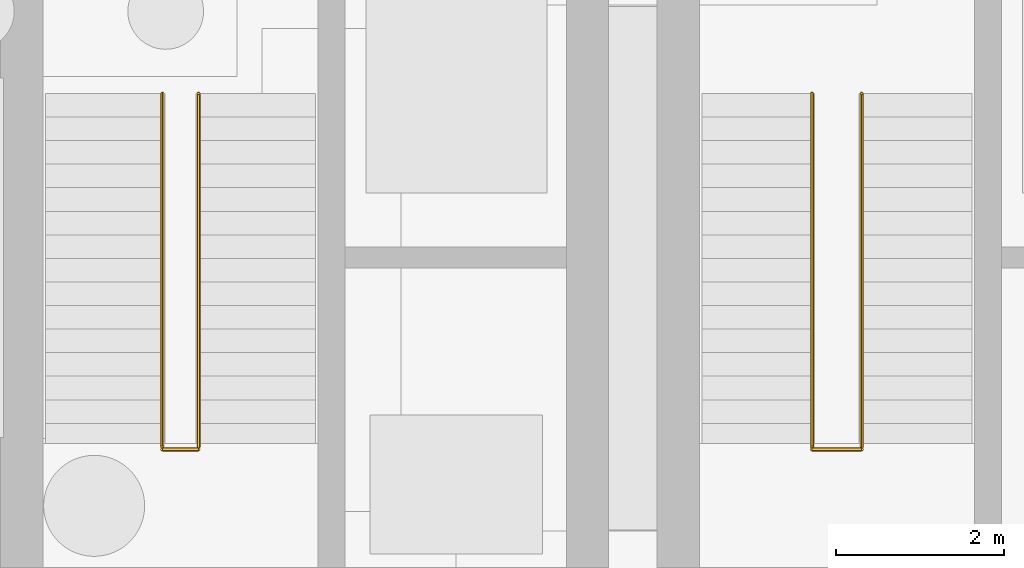
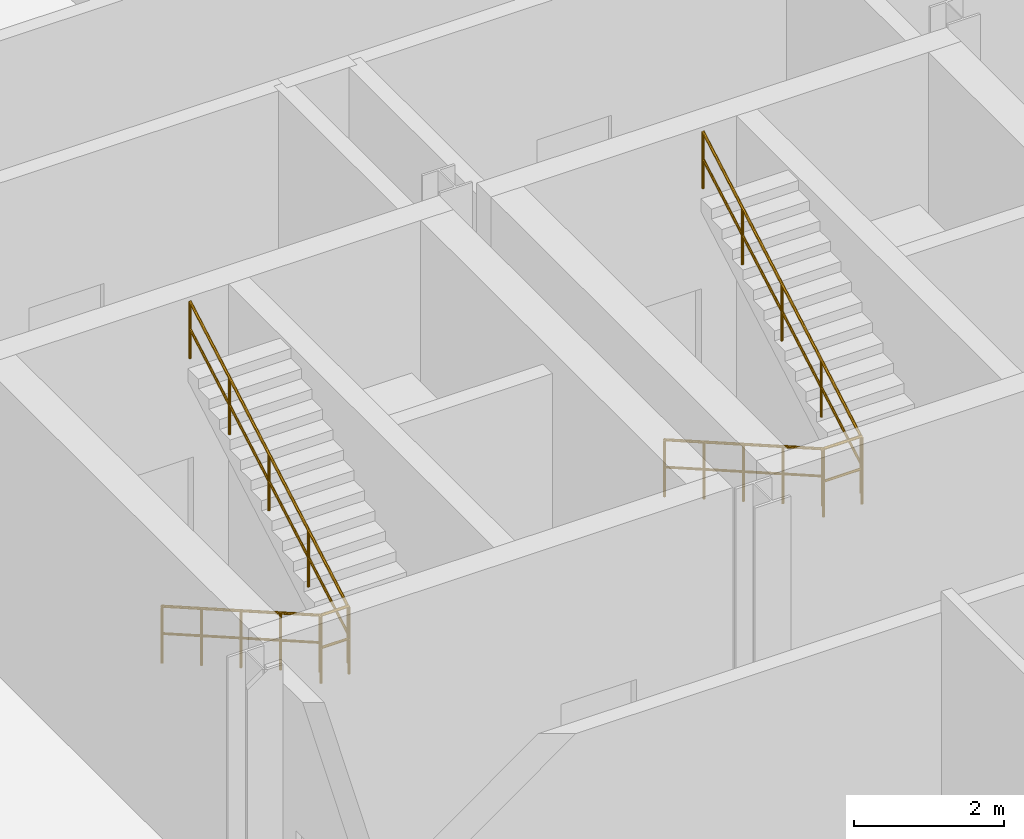
# One storey, part 31 of 32: 6 railings.
"""IFC4 building model written with IfcOpenShell, lengths in metres."""

from ifc_helpers import new_model, si_unit, direction, frame, origin_with_axes, origin_2d_with_axis, place, context, subcontext, project, spatial, circle, extrude, material, type_object, element, save


model = new_model("IFC4")

# Units and contexts
model_context = context("Model", 3, precision=1e-05, world=origin_with_axes(), true_north=direction((0.0, 1.0)))
body_context = subcontext(model_context, "Body", "Model", "MODEL_VIEW")
ifc_project = project(units=[si_unit("LENGTHUNIT", "METRE"), si_unit("AREAUNIT", "SQUARE_METRE"), si_unit("VOLUMEUNIT", "CUBIC_METRE"), si_unit("PLANEANGLEUNIT", "RADIAN"), si_unit("MASSUNIT", "GRAM", prefix="KILO"), si_unit("THERMODYNAMICTEMPERATUREUNIT", "KELVIN")], contexts=[model_context])

# Site, building, storey
site_placement = place(None, origin_with_axes())
site = spatial("IfcSite", under=ifc_project, at=site_placement, CompositionType="ELEMENT")
building_placement = place(site_placement, origin_with_axes())
building = spatial("IfcBuilding", under=site, at=building_placement, Name="Montbau Bow Law Courts", CompositionType="ELEMENT")
storey_placement = place(building_placement, frame((0.0, 0.0, -4.8), z_axis=(0.0, 0.0, 1.0), x_axis=(1.0, 0.0, 0.0)))
storey = spatial("IfcBuildingStorey", under=building, at=storey_placement, Name="B1", CompositionType="ELEMENT", Elevation=-4.8)

# Railings
ifc_material_1 = material(Name="Architectural Bronze-Finished Steel Stair Guard", Category="steel")
railing_type_1 = type_object("IfcRailingType", Name="RL-GRD-1100", PredefinedType="GUARDRAIL", material=ifc_material_1)
railing_1_placement = place(None, origin_with_axes())
element("IfcRailing", 1, at=railing_1_placement, inside=storey, type_object=railing_type_1, Name="SG-ST-P2-B1-ML:rlg_0161", PredefinedType="GUARDRAIL", context=body_context, shape_type="SweptSolid", body=[
    extrude(circle(Radius=0.0225, at=origin_2d_with_axis()), frame((149.21, 88.47, -1.298), z_axis=(1.0, 0.0, 0.0), x_axis=(0.0, 0.0, 1.0)), (0.0, 0.0, 1.0), 0.43),
    extrude(circle(Radius=0.02025, at=origin_2d_with_axis()), frame((149.21, 88.47, -1.828), z_axis=(1.0, 0.0, 0.0), x_axis=(0.0, 0.0, 1.0)), (0.0, 0.0, 1.0), 0.43),
    extrude(circle(Radius=0.02025, at=origin_2d_with_axis()), frame((149.21, 88.47, -2.4), z_axis=(0.0, 0.0, 1.0), x_axis=(1.0, 0.0, 0.0)), (0.0, 0.0, 1.0), 1.07525),
    extrude(circle(Radius=0.02025, at=origin_2d_with_axis()), frame((149.64, 88.47, -2.4), z_axis=(0.0, 0.0, 1.0), x_axis=(1.0, 0.0, 0.0)), (0.0, 0.0, 1.0), 1.07525),
])
railing_2_placement = place(None, origin_with_axes())
element("IfcRailing", 2, at=railing_2_placement, inside=storey, type_object=railing_type_1, Name="SG-ST-J2-B1-ML:rlg_0204", PredefinedType="GUARDRAIL", context=body_context, shape_type="SweptSolid", body=[
    extrude(circle(Radius=0.0225, at=origin_2d_with_axis()), frame((156.93, 88.47, -1.298), z_axis=(1.0, 0.0, 0.0), x_axis=(0.0, 0.0, 1.0)), (0.0, 0.0, 1.0), 0.59),
    extrude(circle(Radius=0.02025, at=origin_2d_with_axis()), frame((156.93, 88.47, -1.828), z_axis=(1.0, 0.0, 0.0), x_axis=(0.0, 0.0, 1.0)), (0.0, 0.0, 1.0), 0.59),
    extrude(circle(Radius=0.02025, at=origin_2d_with_axis()), frame((156.93, 88.47, -2.4), z_axis=(0.0, 0.0, 1.0), x_axis=(1.0, 0.0, 0.0)), (0.0, 0.0, 1.0), 1.07525),
    extrude(circle(Radius=0.02025, at=origin_2d_with_axis()), frame((157.52, 88.47, -2.4), z_axis=(0.0, 0.0, 1.0), x_axis=(1.0, 0.0, 0.0)), (0.0, 0.0, 1.0), 1.07525),
])
ifc_material_2 = material(Name="White-Oak and Stainless Continuous Stair Handrail", Category="steel")
railing_type_2 = type_object("IfcRailingType", Name="RL-HND-0920", PredefinedType="HANDRAIL", material=ifc_material_2)
railing_3_placement = place(None, origin_with_axes())
element("IfcRailing", 3, at=railing_3_placement, inside=storey, type_object=railing_type_2, Name="HR-ST-P2-B1-1:rlg_0162", PredefinedType="HANDRAIL", context=body_context, shape_type="SweptSolid", body=[
    extrude(circle(Radius=0.021, at=origin_2d_with_axis()), frame((149.21, 92.7, -3.718), z_axis=(0.0, -0.868243142, 0.496138938), x_axis=(0.0, 0.496138938, 0.868243142)), (0.0, 0.0, 1.0), 4.837355),
    extrude(circle(Radius=0.0189, at=origin_2d_with_axis()), frame((149.21, 92.7, -4.1616), z_axis=(0.0, -0.868243142, 0.496138938), x_axis=(0.0, 0.496138938, 0.868243142)), (0.0, 0.0, 1.0), 4.837355),
    extrude(circle(Radius=0.0189, at=origin_2d_with_axis()), frame((149.21, 92.7, -4.64), z_axis=(0.0, 0.0, 1.0), x_axis=(1.0, 0.0, 0.0)), (0.0, 0.0, 1.0), 0.8969),
    extrude(circle(Radius=0.0189, at=origin_2d_with_axis()), frame((149.21, 91.65, -4.04), z_axis=(0.0, 0.0, 1.0), x_axis=(1.0, 0.0, 0.0)), (0.0, 0.0, 1.0), 0.8969),
    extrude(circle(Radius=0.0189, at=origin_2d_with_axis()), frame((149.21, 90.6, -3.44), z_axis=(0.0, 0.0, 1.0), x_axis=(1.0, 0.0, 0.0)), (0.0, 0.0, 1.0), 0.8969),
    extrude(circle(Radius=0.0189, at=origin_2d_with_axis()), frame((149.21, 89.55, -2.84), z_axis=(0.0, 0.0, 1.0), x_axis=(1.0, 0.0, 0.0)), (0.0, 0.0, 1.0), 0.8969),
    extrude(circle(Radius=0.0189, at=origin_2d_with_axis()), frame((149.21, 88.5, -2.24), z_axis=(0.0, 0.0, 1.0), x_axis=(1.0, 0.0, 0.0)), (0.0, 0.0, 1.0), 0.8969),
])
railing_4_placement = place(None, origin_with_axes())
element("IfcRailing", 4, at=railing_4_placement, inside=storey, type_object=railing_type_2, Name="HR-ST-P2-B1-2:rlg_0163", PredefinedType="HANDRAIL", context=body_context, shape_type="SweptSolid", body=[
    extrude(circle(Radius=0.021, at=origin_2d_with_axis()), frame((149.64, 88.5, -1.318), z_axis=(0.0, 0.868243142, 0.496138938), x_axis=(0.0, -0.496138938, 0.868243142)), (0.0, 0.0, 1.0), 4.837355),
    extrude(circle(Radius=0.0189, at=origin_2d_with_axis()), frame((149.64, 88.5, -1.7616), z_axis=(0.0, 0.868243142, 0.496138938), x_axis=(0.0, -0.496138938, 0.868243142)), (0.0, 0.0, 1.0), 4.837355),
    extrude(circle(Radius=0.0189, at=origin_2d_with_axis()), frame((149.64, 88.5, -2.24), z_axis=(0.0, 0.0, 1.0), x_axis=(1.0, 0.0, 0.0)), (0.0, 0.0, 1.0), 0.8969),
    extrude(circle(Radius=0.0189, at=origin_2d_with_axis()), frame((149.64, 89.55, -1.64), z_axis=(0.0, 0.0, 1.0), x_axis=(1.0, 0.0, 0.0)), (0.0, 0.0, 1.0), 0.8969),
    extrude(circle(Radius=0.0189, at=origin_2d_with_axis()), frame((149.64, 90.6, -1.04), z_axis=(0.0, 0.0, 1.0), x_axis=(1.0, 0.0, 0.0)), (0.0, 0.0, 1.0), 0.8969),
    extrude(circle(Radius=0.0189, at=origin_2d_with_axis()), frame((149.64, 91.65, -0.44), z_axis=(0.0, 0.0, 1.0), x_axis=(1.0, 0.0, 0.0)), (0.0, 0.0, 1.0), 0.8969),
    extrude(circle(Radius=0.0189, at=origin_2d_with_axis()), frame((149.64, 92.7, 0.16), z_axis=(0.0, 0.0, 1.0), x_axis=(1.0, 0.0, 0.0)), (0.0, 0.0, 1.0), 0.8969),
])
railing_5_placement = place(None, origin_with_axes())
element("IfcRailing", 5, at=railing_5_placement, inside=storey, type_object=railing_type_2, Name="HR-ST-J2-B1-1:rlg_0205", PredefinedType="HANDRAIL", context=body_context, shape_type="SweptSolid", body=[
    extrude(circle(Radius=0.021, at=origin_2d_with_axis()), frame((156.93, 92.7, -3.718), z_axis=(0.0, -0.868243142, 0.496138938), x_axis=(0.0, 0.496138938, 0.868243142)), (0.0, 0.0, 1.0), 4.837355),
    extrude(circle(Radius=0.0189, at=origin_2d_with_axis()), frame((156.93, 92.7, -4.1616), z_axis=(0.0, -0.868243142, 0.496138938), x_axis=(0.0, 0.496138938, 0.868243142)), (0.0, 0.0, 1.0), 4.837355),
    extrude(circle(Radius=0.0189, at=origin_2d_with_axis()), frame((156.93, 92.7, -4.64), z_axis=(0.0, 0.0, 1.0), x_axis=(1.0, 0.0, 0.0)), (0.0, 0.0, 1.0), 0.8969),
    extrude(circle(Radius=0.0189, at=origin_2d_with_axis()), frame((156.93, 91.65, -4.04), z_axis=(0.0, 0.0, 1.0), x_axis=(1.0, 0.0, 0.0)), (0.0, 0.0, 1.0), 0.8969),
    extrude(circle(Radius=0.0189, at=origin_2d_with_axis()), frame((156.93, 90.6, -3.44), z_axis=(0.0, 0.0, 1.0), x_axis=(1.0, 0.0, 0.0)), (0.0, 0.0, 1.0), 0.8969),
    extrude(circle(Radius=0.0189, at=origin_2d_with_axis()), frame((156.93, 89.55, -2.84), z_axis=(0.0, 0.0, 1.0), x_axis=(1.0, 0.0, 0.0)), (0.0, 0.0, 1.0), 0.8969),
    extrude(circle(Radius=0.0189, at=origin_2d_with_axis()), frame((156.93, 88.5, -2.24), z_axis=(0.0, 0.0, 1.0), x_axis=(1.0, 0.0, 0.0)), (0.0, 0.0, 1.0), 0.8969),
])
railing_6_placement = place(None, origin_with_axes())
element("IfcRailing", 6, at=railing_6_placement, inside=storey, type_object=railing_type_2, Name="HR-ST-J2-B1-2:rlg_0206", PredefinedType="HANDRAIL", context=body_context, shape_type="SweptSolid", body=[
    extrude(circle(Radius=0.021, at=origin_2d_with_axis()), frame((157.52, 88.5, -1.318), z_axis=(0.0, 0.868243142, 0.496138938), x_axis=(0.0, -0.496138938, 0.868243142)), (0.0, 0.0, 1.0), 4.837355),
    extrude(circle(Radius=0.0189, at=origin_2d_with_axis()), frame((157.52, 88.5, -1.7616), z_axis=(0.0, 0.868243142, 0.496138938), x_axis=(0.0, -0.496138938, 0.868243142)), (0.0, 0.0, 1.0), 4.837355),
    extrude(circle(Radius=0.0189, at=origin_2d_with_axis()), frame((157.52, 88.5, -2.24), z_axis=(0.0, 0.0, 1.0), x_axis=(1.0, 0.0, 0.0)), (0.0, 0.0, 1.0), 0.8969),
    extrude(circle(Radius=0.0189, at=origin_2d_with_axis()), frame((157.52, 89.55, -1.64), z_axis=(0.0, 0.0, 1.0), x_axis=(1.0, 0.0, 0.0)), (0.0, 0.0, 1.0), 0.8969),
    extrude(circle(Radius=0.0189, at=origin_2d_with_axis()), frame((157.52, 90.6, -1.04), z_axis=(0.0, 0.0, 1.0), x_axis=(1.0, 0.0, 0.0)), (0.0, 0.0, 1.0), 0.8969),
    extrude(circle(Radius=0.0189, at=origin_2d_with_axis()), frame((157.52, 91.65, -0.44), z_axis=(0.0, 0.0, 1.0), x_axis=(1.0, 0.0, 0.0)), (0.0, 0.0, 1.0), 0.8969),
    extrude(circle(Radius=0.0189, at=origin_2d_with_axis()), frame((157.52, 92.7, 0.16), z_axis=(0.0, 0.0, 1.0), x_axis=(1.0, 0.0, 0.0)), (0.0, 0.0, 1.0), 0.8969),
])

save(model, "model.ifc")
